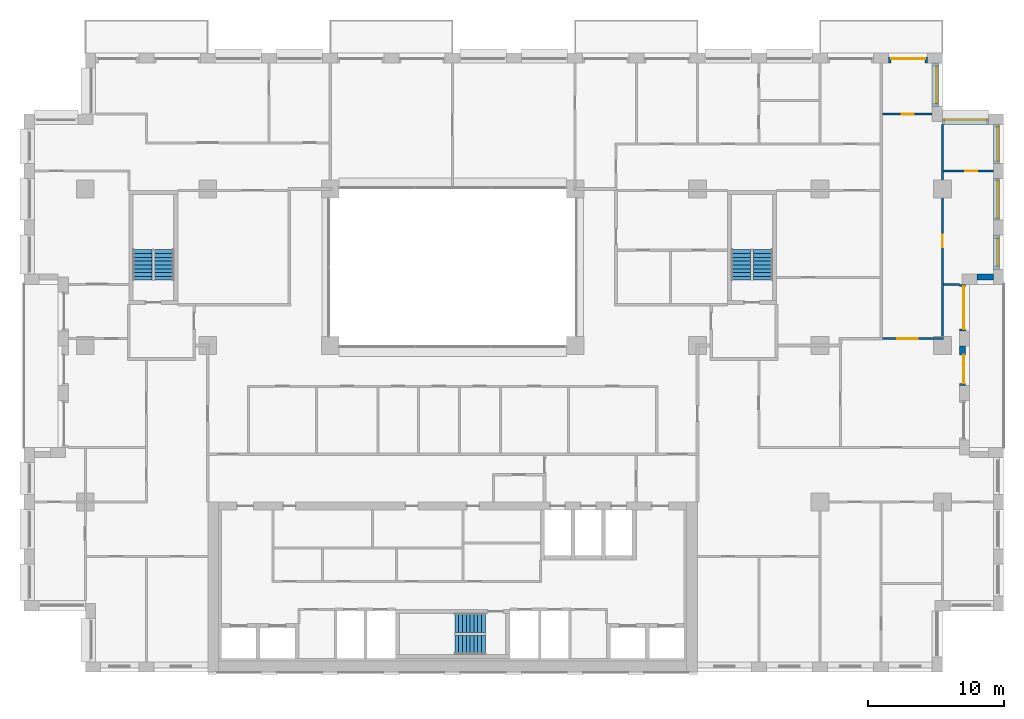
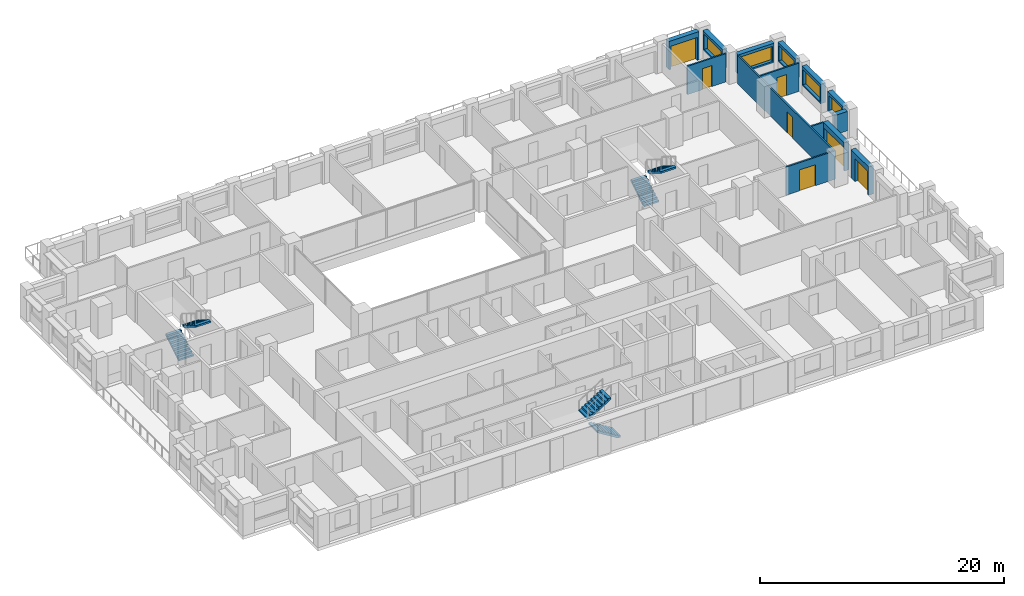
# One storey, part 15 of 16: 14 walls, 7 doors, 6 stair flights, 5 windows, 12 openings, 3 elements without a shape of their own.
"""IFC4 building model written with IfcOpenShell, lengths in metres."""

from ifc_helpers import new_model, si_unit, direction, frame, frame_2d, origin, place, context, subcontext, project, spatial, polyline, rectangle, outline, extrude, material, layer, layer_set, type_object, element, fill, aggregate, save


model = new_model("IFC4")

# Units and contexts
model_context = context("Model", 3, precision=1e-05, world=origin(), true_north=direction((0.0, 1.0)))
body_context = subcontext(model_context, "Body", "Model", "MODEL_VIEW")
ifc_project = project(units=[si_unit("LENGTHUNIT", "METRE"), si_unit("AREAUNIT", "SQUARE_METRE"), si_unit("VOLUMEUNIT", "CUBIC_METRE"), si_unit("PLANEANGLEUNIT", "RADIAN"), si_unit("MASSUNIT", "GRAM", prefix="KILO")], contexts=[model_context])

# Site, building, storey
site_placement = place(None, origin())
site = spatial("IfcSite", under=ifc_project, at=site_placement, CompositionType="ELEMENT")
building_placement = place(site_placement, origin())
building = spatial("IfcBuilding", under=site, at=building_placement, Name="Brigalow Station Residences", CompositionType="ELEMENT")
storey_placement = place(building_placement, frame((0.0, 0.0, 105.60009765625)))
storey = spatial("IfcBuildingStorey", under=building, at=storey_placement, Name="L30", CompositionType="ELEMENT", Elevation=105.60009765625)

# Wall, opening, door
ifc_material_1 = material(Name="Clay brick masonry", Category="masonry")
ifc_layer_1 = layer(ifc_material_1, 0.449951171875)
ifc_layer_set_1 = layer_set([ifc_layer_1], Name="BRICK INFILL WALL 450")
wall_type_1 = type_object("IfcWallType", Name="BRICK INFILL WALL 450", PredefinedType="SOLIDWALL", material=ifc_layer_set_1)
wall_1_placement = place(storey_placement, frame((73.47509765625, 21.050048828125, 0.0), z_axis=(0.0, 0.0, 1.0), x_axis=(0.0, 1.0, 0.0)))
wall_1 = element("IfcWall", 1, at=wall_1_placement, inside=storey, type_object=wall_type_1, Name="L30/ewall/W-L30-15", PredefinedType="SOLIDWALL", context=body_context, shape_type="SweptSolid", body=[
    extrude(rectangle(XDim=2.89990234375, YDim=0.449951171875, at=frame_2d((1.449951171875, 0.0))), origin(), (0.0, 0.0, 1.0), 2.829833984375),
])
opening_1_placement = place(wall_1_placement, frame((0.1650390625, 0.0, 0.0)))
opening_1 = element("IfcOpeningElement", 2, at=opening_1_placement, cuts=wall_1, Name="Opening D-B2100", PredefinedType="OPENING", context=body_context, shape_type="SweptSolid", body=[
    extrude(rectangle(XDim=2.10009765625, YDim=2.300048828125, at=frame_2d((1.050048828125, 1.14990234375))), frame((0.0, 0.23486328125, 0.0), z_axis=(0.0, -1.0, 0.0), x_axis=(1.0, 0.0, 0.0)), (0.0, 0.0, 1.0), 0.469970703125),
])
ifc_material_2 = material(Name="Anodised aluminium frame with double glazing", Category="aluminium")
door_type_1 = type_object("IfcDoorType", Name="BALCONY SLIDING DOOR 2100x2300", OperationType="SLIDING_TO_LEFT", PredefinedType="DOOR", material=ifc_material_2)
door_1_placement = place(opening_1_placement, origin())
door_1 = element("IfcDoor", 3, at=door_1_placement, inside=storey, type_object=door_type_1, Name="L30/balcony-door/W-L30-15", OperationType="SLIDING_TO_LEFT", OverallHeight=2.300048828125, OverallWidth=2.10009765625, PredefinedType="DOOR", context=body_context, shape_type="SweptSolid", body=[
    extrude(rectangle(XDim=2.10009765625, YDim=2.300048828125, at=frame_2d((1.050048828125, 1.14990234375))), frame((0.0, -0.06982421875, 0.0), z_axis=(0.0, -1.0, 0.0), x_axis=(1.0, 0.0, 0.0)), (0.0, 0.0, 1.0), 0.050048828125),
])
fill(opening_1, door_1)

wall_2_placement = place(storey_placement, frame((73.47509765625, 25.050048828125, 0.0), z_axis=(0.0, 0.0, 1.0), x_axis=(0.0, 1.0, 0.0)))
wall_2 = element("IfcWall", 4, at=wall_2_placement, inside=storey, type_object=wall_type_1, Name="L30/ewall/W-L30-16", PredefinedType="SOLIDWALL", context=body_context, shape_type="SweptSolid", body=[
    extrude(rectangle(XDim=3.449951171875, YDim=0.449951171875, at=frame_2d((1.72509765625, 0.0))), origin(), (0.0, 0.0, 1.0), 2.829833984375),
])
opening_2_placement = place(wall_2_placement, frame((0.14990234375, 0.0, 0.0)))
opening_2 = element("IfcOpeningElement", 5, at=opening_2_placement, cuts=wall_2, Name="Opening D-B3150", PredefinedType="OPENING", context=body_context, shape_type="SweptSolid", body=[
    extrude(rectangle(XDim=3.14990234375, YDim=2.300048828125, at=frame_2d((1.574951171875, 1.14990234375))), frame((0.0, 0.23486328125, 0.0), z_axis=(0.0, -1.0, 0.0), x_axis=(1.0, 0.0, 0.0)), (0.0, 0.0, 1.0), 0.469970703125),
])
ifc_material_3 = material(Name="Anodised aluminium frame with double glazing", Category="aluminium")
door_type_2 = type_object("IfcDoorType", Name="BALCONY SLIDING DOOR 3150x2300", OperationType="SLIDING_TO_LEFT", PredefinedType="DOOR", material=ifc_material_3)
door_2_placement = place(opening_2_placement, origin())
door_2 = element("IfcDoor", 6, at=door_2_placement, inside=storey, type_object=door_type_2, Name="L30/balcony-door/W-L30-16", OperationType="SLIDING_TO_LEFT", OverallHeight=2.300048828125, OverallWidth=3.14990234375, PredefinedType="DOOR", context=body_context, shape_type="SweptSolid", body=[
    extrude(rectangle(XDim=3.14990234375, YDim=2.300048828125, at=frame_2d((1.574951171875, 1.14990234375))), frame((0.0, -0.06982421875, 0.0), z_axis=(0.0, -1.0, 0.0), x_axis=(1.0, 0.0, 0.0)), (0.0, 0.0, 1.0), 0.050048828125),
])
fill(opening_2, door_2)

# Wall
wall_3_placement = place(storey_placement, frame((74.550048828125, 29.02490234375, 0.89990234375), z_axis=(0.0, 0.0, 1.0), x_axis=(1.0, 0.0, 0.0)))
element("IfcWall", 7, at=wall_3_placement, inside=storey, type_object=wall_type_1, Name="L30/ewall/W-L30-17", PredefinedType="SOLIDWALL", context=body_context, shape_type="SweptSolid", body=[
    extrude(rectangle(XDim=1.199951171875, YDim=0.449951171875, at=frame_2d((0.60009765625, 0.0))), origin(), (0.0, 0.0, 1.0), 1.929931640625),
])

# Wall, opening, window
wall_4_placement = place(storey_placement, frame((75.97509765625, 29.60009765625, 0.89990234375), z_axis=(0.0, 0.0, 1.0), x_axis=(0.0, 1.0, 0.0)))
wall_4 = element("IfcWall", 8, at=wall_4_placement, inside=storey, type_object=wall_type_1, Name="L30/ewall/W-L30-18", PredefinedType="SOLIDWALL", context=body_context, shape_type="SweptSolid", body=[
    extrude(rectangle(XDim=2.516845703125, YDim=0.449951171875, at=frame_2d((1.25830078125, 0.0))), origin(), (0.0, 0.0, 1.0), 1.929931640625),
])
opening_3_placement = place(wall_4_placement, frame((0.258544921875, 0.0, 0.14990234375)))
opening_3 = element("IfcOpeningElement", 9, at=opening_3_placement, cuts=wall_4, Name="Opening WT-7", PredefinedType="OPENING", context=body_context, shape_type="SweptSolid", body=[
    extrude(rectangle(XDim=2.0, YDim=1.5, at=frame_2d((1.0, 0.75))), frame((0.0, 0.23486328125, 0.0), z_axis=(0.0, -1.0, 0.0), x_axis=(1.0, 0.0, 0.0)), (0.0, 0.0, 1.0), 0.469970703125),
])
ifc_material_4 = material(Name="Anodised aluminium frame with double glazing", Category="aluminium")
window_type_1 = type_object("IfcWindowType", Name="WINDOW 2000x1500", PartitioningType="SINGLE_PANEL", PredefinedType="WINDOW", material=ifc_material_4)
window_1_placement = place(opening_3_placement, origin())
window_1 = element("IfcWindow", 10, at=window_1_placement, inside=storey, type_object=window_type_1, Name="L30/window/W-L30-18", OverallHeight=1.5, OverallWidth=2.0, PartitioningType="SINGLE_PANEL", PredefinedType="WINDOW", context=body_context, shape_type="SweptSolid", body=[
    extrude(rectangle(XDim=2.0, YDim=1.5, at=frame_2d((1.0, 0.75))), frame((0.0, -0.06494140625, 0.0), z_axis=(0.0, -1.0, 0.0), x_axis=(1.0, 0.0, 0.0)), (0.0, 0.0, 1.0), 0.06005859375),
])
fill(opening_3, window_1)

wall_5_placement = place(storey_placement, frame((75.97509765625, 33.217041015625, 0.89990234375), z_axis=(0.0, 0.0, 1.0), x_axis=(0.0, 1.0, 0.0)))
wall_5 = element("IfcWall", 11, at=wall_5_placement, inside=storey, type_object=wall_type_1, Name="L30/ewall/W-L30-19", PredefinedType="SOLIDWALL", context=body_context, shape_type="SweptSolid", body=[
    extrude(rectangle(XDim=3.06591796875, YDim=0.449951171875, at=frame_2d((1.532958984375, 0.0))), origin(), (0.0, 0.0, 1.0), 1.929931640625),
])
opening_4_placement = place(wall_5_placement, frame((0.157958984375, 0.0, 0.14990234375)))
opening_4 = element("IfcOpeningElement", 12, at=opening_4_placement, cuts=wall_5, Name="Opening WT-3", PredefinedType="OPENING", context=body_context, shape_type="SweptSolid", body=[
    extrude(rectangle(XDim=2.75, YDim=1.5, at=frame_2d((1.375, 0.75))), frame((0.0, 0.23486328125, 0.0), z_axis=(0.0, -1.0, 0.0), x_axis=(1.0, 0.0, 0.0)), (0.0, 0.0, 1.0), 0.469970703125),
])
ifc_material_5 = material(Name="Anodised aluminium frame with double glazing", Category="aluminium")
window_type_2 = type_object("IfcWindowType", Name="WINDOW 2750x1500", PartitioningType="SINGLE_PANEL", PredefinedType="WINDOW", material=ifc_material_5)
window_2_placement = place(opening_4_placement, origin())
window_2 = element("IfcWindow", 13, at=window_2_placement, inside=storey, type_object=window_type_2, Name="L30/window/W-L30-19", OverallHeight=1.5, OverallWidth=2.75, PartitioningType="SINGLE_PANEL", PredefinedType="WINDOW", context=body_context, shape_type="SweptSolid", body=[
    extrude(rectangle(XDim=2.75, YDim=1.5, at=frame_2d((1.375, 0.75))), frame((0.0, -0.06494140625, 0.0), z_axis=(0.0, -1.0, 0.0), x_axis=(1.0, 0.0, 0.0)), (0.0, 0.0, 1.0), 0.06005859375),
])
fill(opening_4, window_2)

wall_6_placement = place(storey_placement, frame((75.97509765625, 37.383056640625, 0.89990234375), z_axis=(0.0, 0.0, 1.0), x_axis=(0.0, 1.0, 0.0)))
wall_6 = element("IfcWall", 14, at=wall_6_placement, inside=storey, type_object=wall_type_1, Name="L30/ewall/W-L30-20", PredefinedType="SOLIDWALL", context=body_context, shape_type="SweptSolid", body=[
    extrude(rectangle(XDim=2.866943359375, YDim=0.449951171875, at=frame_2d((1.43359375, 0.0))), origin(), (0.0, 0.0, 1.0), 1.929931640625),
])
opening_5_placement = place(wall_6_placement, frame((0.18359375, 0.0, 0.14990234375)))
opening_5 = element("IfcOpeningElement", 15, at=opening_5_placement, cuts=wall_6, Name="Opening WT-5", PredefinedType="OPENING", context=body_context, shape_type="SweptSolid", body=[
    extrude(rectangle(XDim=2.5, YDim=1.5, at=frame_2d((1.25, 0.75))), frame((0.0, 0.23486328125, 0.0), z_axis=(0.0, -1.0, 0.0), x_axis=(1.0, 0.0, 0.0)), (0.0, 0.0, 1.0), 0.469970703125),
])
ifc_material_6 = material(Name="Anodised aluminium frame with double glazing", Category="aluminium")
window_type_3 = type_object("IfcWindowType", Name="WINDOW 2500x1500", PartitioningType="SINGLE_PANEL", PredefinedType="WINDOW", material=ifc_material_6)
window_3_placement = place(opening_5_placement, origin())
window_3 = element("IfcWindow", 16, at=window_3_placement, inside=storey, type_object=window_type_3, Name="L30/window/W-L30-20", OverallHeight=1.5, OverallWidth=2.5, PartitioningType="SINGLE_PANEL", PredefinedType="WINDOW", context=body_context, shape_type="SweptSolid", body=[
    extrude(rectangle(XDim=2.5, YDim=1.5, at=frame_2d((1.25, 0.75))), frame((0.0, -0.06494140625, 0.0), z_axis=(0.0, -1.0, 0.0), x_axis=(1.0, 0.0, 0.0)), (0.0, 0.0, 1.0), 0.06005859375),
])
fill(opening_5, window_3)

wall_7_placement = place(storey_placement, frame((75.39990234375, 40.47509765625, 0.89990234375), z_axis=(0.0, 0.0, 1.0), x_axis=(-1.0, 0.0, 0.0)))
wall_7 = element("IfcWall", 17, at=wall_7_placement, inside=storey, type_object=wall_type_1, Name="L30/ewall/W-L30-21", PredefinedType="SOLIDWALL", context=body_context, shape_type="SweptSolid", body=[
    extrude(rectangle(XDim=3.39990234375, YDim=0.449951171875, at=frame_2d((1.699951171875, 0.0))), origin(), (0.0, 0.0, 1.0), 1.929931640625),
])
opening_6_placement = place(wall_7_placement, frame((0.14990234375, 0.0, 0.14990234375)))
opening_6 = element("IfcOpeningElement", 18, at=opening_6_placement, cuts=wall_7, Name="Opening WT-8", PredefinedType="OPENING", context=body_context, shape_type="SweptSolid", body=[
    extrude(rectangle(XDim=3.10009765625, YDim=1.5, at=frame_2d((1.550048828125, 0.75))), frame((0.0, 0.23486328125, 0.0), z_axis=(0.0, -1.0, 0.0), x_axis=(1.0, 0.0, 0.0)), (0.0, 0.0, 1.0), 0.469970703125),
])
ifc_material_7 = material(Name="Anodised aluminium frame with double glazing", Category="aluminium")
window_type_4 = type_object("IfcWindowType", Name="WINDOW 3100x1500", PartitioningType="SINGLE_PANEL", PredefinedType="WINDOW", material=ifc_material_7)
window_4_placement = place(opening_6_placement, origin())
window_4 = element("IfcWindow", 19, at=window_4_placement, inside=storey, type_object=window_type_4, Name="L30/window/W-L30-21", OverallHeight=1.5, OverallWidth=3.10009765625, PartitioningType="SINGLE_PANEL", PredefinedType="WINDOW", context=body_context, shape_type="SweptSolid", body=[
    extrude(rectangle(XDim=3.10009765625, YDim=1.5, at=frame_2d((1.550048828125, 0.75))), frame((0.0, -0.06494140625, 0.0), z_axis=(0.0, -1.0, 0.0), x_axis=(1.0, 0.0, 0.0)), (0.0, 0.0, 1.0), 0.06005859375),
])
fill(opening_6, window_4)

wall_8_placement = place(storey_placement, frame((71.47509765625, 41.550048828125, 0.89990234375), z_axis=(0.0, 0.0, 1.0), x_axis=(0.0, 1.0, 0.0)))
wall_8 = element("IfcWall", 20, at=wall_8_placement, inside=storey, type_object=wall_type_1, Name="L30/ewall/W-L30-22", PredefinedType="SOLIDWALL", context=body_context, shape_type="SweptSolid", body=[
    extrude(rectangle(XDim=3.199951171875, YDim=0.449951171875, at=frame_2d((1.60009765625, 0.0))), origin(), (0.0, 0.0, 1.0), 1.929931640625),
])
opening_7_placement = place(wall_8_placement, frame((0.22509765625, 0.0, 0.14990234375)))
opening_7 = element("IfcOpeningElement", 21, at=opening_7_placement, cuts=wall_8, Name="Opening WT-3", PredefinedType="OPENING", context=body_context, shape_type="SweptSolid", body=[
    extrude(rectangle(XDim=2.75, YDim=1.5, at=frame_2d((1.375, 0.75))), frame((0.0, 0.23486328125, 0.0), z_axis=(0.0, -1.0, 0.0), x_axis=(1.0, 0.0, 0.0)), (0.0, 0.0, 1.0), 0.469970703125),
])
window_5_placement = place(opening_7_placement, origin())
window_5 = element("IfcWindow", 22, at=window_5_placement, inside=storey, type_object=window_type_2, Name="L30/window/W-L30-22", OverallHeight=1.5, OverallWidth=2.75, PartitioningType="SINGLE_PANEL", PredefinedType="WINDOW", context=body_context, shape_type="SweptSolid", body=[
    extrude(rectangle(XDim=2.75, YDim=1.5, at=frame_2d((1.375, 0.75))), frame((0.0, -0.06494140625, 0.0), z_axis=(0.0, -1.0, 0.0), x_axis=(1.0, 0.0, 0.0)), (0.0, 0.0, 1.0), 0.06005859375),
])
fill(opening_7, window_5)

# Wall, opening, door
wall_9_placement = place(storey_placement, frame((70.89990234375, 44.97509765625, 0.0), z_axis=(0.0, 0.0, 1.0), x_axis=(-1.0, 0.0, 0.0)))
wall_9 = element("IfcWall", 23, at=wall_9_placement, inside=storey, type_object=wall_type_1, Name="L30/ewall/W-L30-23", PredefinedType="SOLIDWALL", context=body_context, shape_type="SweptSolid", body=[
    extrude(rectangle(XDim=2.849853515625, YDim=0.449951171875, at=frame_2d((1.4248046875, 0.0))), origin(), (0.0, 0.0, 1.0), 2.829833984375),
])
opening_8_placement = place(wall_9_placement, frame((0.175048828125, 0.0, 0.0)))
opening_8 = element("IfcOpeningElement", 24, at=opening_8_placement, cuts=wall_9, Name="Opening D-B2500", PredefinedType="OPENING", context=body_context, shape_type="SweptSolid", body=[
    extrude(rectangle(XDim=2.5, YDim=2.300048828125, at=frame_2d((1.25, 1.14990234375))), frame((0.0, 0.23486328125, 0.0), z_axis=(0.0, -1.0, 0.0), x_axis=(1.0, 0.0, 0.0)), (0.0, 0.0, 1.0), 0.469970703125),
])
ifc_material_8 = material(Name="Anodised aluminium frame with double glazing", Category="aluminium")
door_type_3 = type_object("IfcDoorType", Name="BALCONY SLIDING DOOR 2500x2300", OperationType="SLIDING_TO_LEFT", PredefinedType="DOOR", material=ifc_material_8)
door_3_placement = place(opening_8_placement, origin())
door_3 = element("IfcDoor", 25, at=door_3_placement, inside=storey, type_object=door_type_3, Name="L30/balcony-door/W-L30-23", OperationType="SLIDING_TO_LEFT", OverallHeight=2.300048828125, OverallWidth=2.5, PredefinedType="DOOR", context=body_context, shape_type="SweptSolid", body=[
    extrude(rectangle(XDim=2.5, YDim=2.300048828125, at=frame_2d((1.25, 1.14990234375))), frame((0.0, -0.06982421875, 0.0), z_axis=(0.0, -1.0, 0.0), x_axis=(1.0, 0.0, 0.0)), (0.0, 0.0, 1.0), 0.050048828125),
])
fill(opening_8, door_3)

ifc_material_9 = material(Name="Plasterboard on steel stud partition", Category="steel")
ifc_layer_2 = layer(ifc_material_9, 0.14990234375)
ifc_layer_set_2 = layer_set([ifc_layer_2], Name="FLAT PARTITION 150")
wall_type_2 = type_object("IfcWallType", Name="FLAT PARTITION 150", PredefinedType="PARTITIONING", material=ifc_layer_set_2)
wall_10_placement = place(storey_placement, frame((67.39990234375, 24.5, 0.0), z_axis=(0.0, 0.0, 1.0), x_axis=(1.0, 0.0, 0.0)))
wall_10 = element("IfcWall", 26, at=wall_10_placement, inside=storey, type_object=wall_type_2, Name="PW-2C18", PredefinedType="PARTITIONING", context=body_context, shape_type="SweptSolid", body=[
    extrude(rectangle(XDim=4.675048828125, YDim=0.14990234375, at=frame_2d((2.33740234375, 0.0))), origin(), (0.0, 0.0, 1.0), 2.829833984375),
])
opening_9_placement = place(wall_10_placement, frame((1.27490234375, 0.0, 0.0)))
opening_9 = element("IfcOpeningElement", 27, at=opening_9_placement, cuts=wall_10, Name="Opening D-2C41", PredefinedType="OPENING", context=body_context, shape_type="SweptSolid", body=[
    extrude(rectangle(XDim=1.5, YDim=2.10009765625, at=frame_2d((0.75, 1.050048828125))), frame((0.0, 0.0849609375, 0.0), z_axis=(0.0, -1.0, 0.0), x_axis=(1.0, 0.0, 0.0)), (0.0, 0.0, 1.0), 0.169921875),
])
ifc_material_10 = material(Name="Solid-core timber door leaf", Category="wood")
door_type_4 = type_object("IfcDoorType", Name="INTERNAL DOUBLE DOOR 1500 x 2100", OperationType="DOUBLE_DOOR_SINGLE_SWING", PredefinedType="DOOR", material=ifc_material_10)
door_4_placement = place(opening_9_placement, origin())
door_4 = element("IfcDoor", 28, at=door_4_placement, inside=storey, type_object=door_type_4, Name="D-2C41", OperationType="DOUBLE_DOOR_SINGLE_SWING", OverallHeight=2.10009765625, OverallWidth=1.5, PredefinedType="DOOR", context=body_context, shape_type="SweptSolid", body=[
    extrude(rectangle(XDim=1.5, YDim=2.10009765625, at=frame_2d((0.75, 1.050048828125))), frame((0.0, 0.02490234375, 0.0), z_axis=(0.0, -1.0, 0.0), x_axis=(1.0, 0.0, 0.0)), (0.0, 0.0, 1.0), 0.050048828125),
])
fill(opening_9, door_4)

# Wall
wall_11_placement = place(storey_placement, frame((72.074951171875, 28.5, 0.0), z_axis=(0.0, 0.0, 1.0), x_axis=(1.0, 0.0, 0.0)))
element("IfcWall", 29, at=wall_11_placement, inside=storey, type_object=wall_type_2, Name="PW-2C21", PredefinedType="PARTITIONING", context=body_context, shape_type="SweptSolid", body=[
    extrude(rectangle(XDim=1.175048828125, YDim=0.14990234375, at=frame_2d((0.58740234375, 0.0))), origin(), (0.0, 0.0, 1.0), 2.829833984375),
])

# Wall, opening, door
wall_12_placement = place(storey_placement, frame((72.074951171875, 36.8330078125, 0.0), z_axis=(0.0, 0.0, 1.0), x_axis=(1.0, 0.0, 0.0)))
wall_12 = element("IfcWall", 30, at=wall_12_placement, inside=storey, type_object=wall_type_2, Name="PW-2C23", PredefinedType="PARTITIONING", context=body_context, shape_type="SweptSolid", body=[
    extrude(rectangle(XDim=3.675048828125, YDim=0.14990234375, at=frame_2d((1.83740234375, 0.0))), origin(), (0.0, 0.0, 1.0), 2.829833984375),
])
opening_10_placement = place(wall_12_placement, frame((1.60009765625, 0.0, 0.0)))
opening_10 = element("IfcOpeningElement", 31, at=opening_10_placement, cuts=wall_12, Name="Opening D-2C43", PredefinedType="OPENING", context=body_context, shape_type="SweptSolid", body=[
    extrude(rectangle(XDim=0.89990234375, YDim=2.10009765625, at=frame_2d((0.449951171875, 1.050048828125))), frame((0.0, 0.0849609375, 0.0), z_axis=(0.0, -1.0, 0.0), x_axis=(1.0, 0.0, 0.0)), (0.0, 0.0, 1.0), 0.169921875),
])
ifc_material_11 = material(Name="Solid-core timber door leaf", Category="wood")
door_type_5 = type_object("IfcDoorType", Name="INTERNAL DOOR 900 x 2100", OperationType="SINGLE_SWING_LEFT", PredefinedType="DOOR", material=ifc_material_11)
door_5_placement = place(opening_10_placement, origin())
door_5 = element("IfcDoor", 32, at=door_5_placement, inside=storey, type_object=door_type_5, Name="D-2C43", OperationType="SINGLE_SWING_RIGHT", OverallHeight=2.10009765625, OverallWidth=0.89990234375, PredefinedType="DOOR", context=body_context, shape_type="SweptSolid", body=[
    extrude(rectangle(XDim=0.89990234375, YDim=2.10009765625, at=frame_2d((0.449951171875, 1.050048828125))), frame((0.0, 0.02490234375, 0.0), z_axis=(0.0, -1.0, 0.0), x_axis=(1.0, 0.0, 0.0)), (0.0, 0.0, 1.0), 0.050048828125),
])
fill(opening_10, door_5)

wall_13_placement = place(storey_placement, frame((67.60009765625, 41.0, 0.0), z_axis=(0.0, 0.0, 1.0), x_axis=(1.0, 0.0, 0.0)))
wall_13 = element("IfcWall", 33, at=wall_13_placement, inside=storey, type_object=wall_type_2, Name="PW-2C29", PredefinedType="PARTITIONING", context=body_context, shape_type="SweptSolid", body=[
    extrude(rectangle(XDim=3.64990234375, YDim=0.14990234375, at=frame_2d((1.824951171875, 0.0))), origin(), (0.0, 0.0, 1.0), 2.829833984375),
])
opening_11_placement = place(wall_13_placement, frame((1.39990234375, 0.0, 0.0)))
opening_11 = element("IfcOpeningElement", 34, at=opening_11_placement, cuts=wall_13, Name="Opening D-2C44", PredefinedType="OPENING", context=body_context, shape_type="SweptSolid", body=[
    extrude(rectangle(XDim=0.89990234375, YDim=2.10009765625, at=frame_2d((0.449951171875, 1.050048828125))), frame((0.0, 0.0849609375, 0.0), z_axis=(0.0, -1.0, 0.0), x_axis=(1.0, 0.0, 0.0)), (0.0, 0.0, 1.0), 0.169921875),
])
door_6_placement = place(opening_11_placement, origin())
door_6 = element("IfcDoor", 35, at=door_6_placement, inside=storey, type_object=door_type_5, Name="D-2C44", OperationType="SINGLE_SWING_RIGHT", OverallHeight=2.10009765625, OverallWidth=0.89990234375, PredefinedType="DOOR", context=body_context, shape_type="SweptSolid", body=[
    extrude(rectangle(XDim=0.89990234375, YDim=2.10009765625, at=frame_2d((0.449951171875, 1.050048828125))), frame((0.0, 0.02490234375, 0.0), z_axis=(0.0, -1.0, 0.0), x_axis=(1.0, 0.0, 0.0)), (0.0, 0.0, 1.0), 0.050048828125),
])
fill(opening_11, door_6)

wall_14_placement = place(storey_placement, frame((72.0, 24.574951171875, 0.0), z_axis=(0.0, 0.0, 1.0), x_axis=(0.0, 1.0, 0.0)))
wall_14 = element("IfcWall", 36, at=wall_14_placement, inside=storey, type_object=wall_type_2, Name="PW-2C66", PredefinedType="PARTITIONING", context=body_context, shape_type="SweptSolid", body=[
    extrude(rectangle(XDim=15.675048828125, YDim=0.14990234375, at=frame_2d((7.83740234375, 0.0))), origin(), (0.0, 0.0, 1.0), 2.829833984375),
])
opening_12_placement = place(wall_14_placement, frame((6.64990234375, 0.0, 0.0)))
opening_12 = element("IfcOpeningElement", 37, at=opening_12_placement, cuts=wall_14, Name="Opening D-2C42", PredefinedType="OPENING", context=body_context, shape_type="SweptSolid", body=[
    extrude(rectangle(XDim=0.89990234375, YDim=2.10009765625, at=frame_2d((0.449951171875, 1.050048828125))), frame((0.0, 0.0849609375, 0.0), z_axis=(0.0, -1.0, 0.0), x_axis=(1.0, 0.0, 0.0)), (0.0, 0.0, 1.0), 0.169921875),
])
door_7_placement = place(opening_12_placement, frame((0.89990234375, 0.0, 0.0), z_axis=(0.0, 0.0, 1.0), x_axis=(-1.0, 0.0, 0.0)))
door_7 = element("IfcDoor", 38, at=door_7_placement, inside=storey, type_object=door_type_5, Name="D-2C42", OperationType="SINGLE_SWING_RIGHT", OverallHeight=2.10009765625, OverallWidth=0.89990234375, PredefinedType="DOOR", context=body_context, shape_type="SweptSolid", body=[
    extrude(rectangle(XDim=0.89990234375, YDim=2.10009765625, at=frame_2d((0.449951171875, 1.050048828125))), frame((0.0, 0.02490234375, 0.0), z_axis=(0.0, -1.0, 0.0), x_axis=(1.0, 0.0, 0.0)), (0.0, 0.0, 1.0), 0.050048828125),
])
fill(opening_12, door_7)

# Stair, stair flights
ifc_material_12 = material(Name="Concrete C50", Category="concrete")
stair_type = type_object("IfcStairType", Name="EXIT STAIR 1400 2 FLIGHT", PredefinedType="HALF_TURN_STAIR", material=ifc_material_12)
stair_1_placement = place(storey_placement, origin())
stair_1 = element("IfcStair", 39, at=stair_1_placement, inside=storey, type_object=stair_type, Name="EXIT STAIR S2 L30", PredefinedType="HALF_TURN_STAIR")
ifc_material_13 = material(Name="Concrete C50", Category="concrete")
stair_flight_type = type_object("IfcStairFlightType", Name="STAIR FLIGHT 1400", PredefinedType="STRAIGHT", material=ifc_material_13)
stair_flight_1_placement = place(storey_placement, frame((38.39990234375, 2.0, 0.0), z_axis=(0.0, 0.0, 1.0), x_axis=(-1.0, 0.0, 0.0)))
stair_flight_1 = element("IfcStairFlight", 40, at=stair_flight_1_placement, type_object=stair_flight_type, Name="ST-2 flight 1", NumberOfRisers=9, NumberOfTreads=8, PredefinedType="STRAIGHT", RiserHeight=0.175, TreadLength=0.28, context=body_context, shape_type="SweptSolid", body=[
    extrude(outline(polyline([(0.0, 0.0), (0.0, 0.175048828125), (0.280029296875, 0.175048828125), (0.280029296875, 0.35009765625), (0.56005859375, 0.35009765625), (0.56005859375, 0.52490234375), (0.840087890625, 0.52490234375), (0.840087890625, 0.699951171875), (1.1201171875, 0.699951171875), (1.1201171875, 0.875), (1.39990234375, 0.875), (1.39990234375, 1.050048828125), (1.679931640625, 1.050048828125), (1.679931640625, 1.22509765625), (1.9599609375, 1.22509765625), (1.9599609375, 1.39990234375), (2.239990234375, 1.39990234375), (2.239990234375, 1.574951171875), (2.239990234375, 1.22314453125), (0.28271484375, 0.0), (0.0, 0.0)])), frame((0.0, 0.699951171875, 0.0), z_axis=(0.0, -1.0, 0.0), x_axis=(1.0, 0.0, 0.0)), (0.0, 0.0, 1.0), 1.39990234375),
])
stair_flight_2_placement = place(storey_placement, frame((36.159912109375, 3.60009765625, 1.574951171875), z_axis=(0.0, 0.0, 1.0), x_axis=(1.0, 0.0, 0.0)))
stair_flight_2 = element("IfcStairFlight", 41, at=stair_flight_2_placement, type_object=stair_flight_type, Name="ST-2 flight 2", NumberOfRisers=9, NumberOfTreads=8, PredefinedType="STRAIGHT", RiserHeight=0.175, TreadLength=0.28, context=body_context, shape_type="SweptSolid", body=[
    extrude(outline(polyline([(0.0, 0.0), (0.0, 0.175048828125), (0.280029296875, 0.175048828125), (0.280029296875, 0.35009765625), (0.56005859375, 0.35009765625), (0.56005859375, 0.52490234375), (0.840087890625, 0.52490234375), (0.840087890625, 0.699951171875), (1.1201171875, 0.699951171875), (1.1201171875, 0.875), (1.39990234375, 0.875), (1.39990234375, 1.050048828125), (1.679931640625, 1.050048828125), (1.679931640625, 1.22509765625), (1.9599609375, 1.22509765625), (1.9599609375, 1.39990234375), (2.239990234375, 1.39990234375), (2.239990234375, 1.574951171875), (2.239990234375, 1.22314453125), (0.28271484375, 0.0), (0.0, 0.0)])), frame((0.0, 0.699951171875, 0.0), z_axis=(0.0, -1.0, 0.0), x_axis=(1.0, 0.0, 0.0)), (0.0, 0.0, 1.0), 1.39990234375),
])
aggregate(stair_1, [stair_flight_1, stair_flight_2])

stair_2_placement = place(storey_placement, origin())
stair_2 = element("IfcStair", 42, at=stair_2_placement, inside=storey, type_object=stair_type, Name="EXIT STAIR S1 L30", PredefinedType="HALF_TURN_STAIR")
stair_flight_3_placement = place(storey_placement, frame((13.199951171875, 28.800048828125, 0.0), z_axis=(0.0, 0.0, 1.0), x_axis=(0.0, 1.0, 0.0)))
stair_flight_3 = element("IfcStairFlight", 43, at=stair_flight_3_placement, type_object=stair_flight_type, Name="ST-1 flight 1", NumberOfRisers=9, NumberOfTreads=8, PredefinedType="STRAIGHT", RiserHeight=0.175, TreadLength=0.28, context=body_context, shape_type="SweptSolid", body=[
    extrude(outline(polyline([(0.0, 0.0), (0.0, 0.175048828125), (0.280029296875, 0.175048828125), (0.280029296875, 0.35009765625), (0.56005859375, 0.35009765625), (0.56005859375, 0.52490234375), (0.840087890625, 0.52490234375), (0.840087890625, 0.699951171875), (1.1201171875, 0.699951171875), (1.1201171875, 0.875), (1.39990234375, 0.875), (1.39990234375, 1.050048828125), (1.679931640625, 1.050048828125), (1.679931640625, 1.22509765625), (1.9599609375, 1.22509765625), (1.9599609375, 1.39990234375), (2.239990234375, 1.39990234375), (2.239990234375, 1.574951171875), (2.239990234375, 1.22314453125), (0.28271484375, 0.0), (0.0, 0.0)])), frame((0.0, 0.699951171875, 0.0), z_axis=(0.0, -1.0, 0.0), x_axis=(1.0, 0.0, 0.0)), (0.0, 0.0, 1.0), 1.39990234375),
])
stair_flight_4_placement = place(storey_placement, frame((14.800048828125, 31.0400390625, 1.574951171875), z_axis=(0.0, 0.0, 1.0), x_axis=(0.0, -1.0, 0.0)))
stair_flight_4 = element("IfcStairFlight", 44, at=stair_flight_4_placement, type_object=stair_flight_type, Name="ST-1 flight 2", NumberOfRisers=9, NumberOfTreads=8, PredefinedType="STRAIGHT", RiserHeight=0.175, TreadLength=0.28, context=body_context, shape_type="SweptSolid", body=[
    extrude(outline(polyline([(0.0, 0.0), (0.0, 0.175048828125), (0.280029296875, 0.175048828125), (0.280029296875, 0.35009765625), (0.56005859375, 0.35009765625), (0.56005859375, 0.52490234375), (0.840087890625, 0.52490234375), (0.840087890625, 0.699951171875), (1.1201171875, 0.699951171875), (1.1201171875, 0.875), (1.39990234375, 0.875), (1.39990234375, 1.050048828125), (1.679931640625, 1.050048828125), (1.679931640625, 1.22509765625), (1.9599609375, 1.22509765625), (1.9599609375, 1.39990234375), (2.239990234375, 1.39990234375), (2.239990234375, 1.574951171875), (2.239990234375, 1.22314453125), (0.28271484375, 0.0), (0.0, 0.0)])), frame((0.0, 0.699951171875, 0.0), z_axis=(0.0, -1.0, 0.0), x_axis=(1.0, 0.0, 0.0)), (0.0, 0.0, 1.0), 1.39990234375),
])
aggregate(stair_2, [stair_flight_3, stair_flight_4])

stair_3_placement = place(storey_placement, origin())
stair_3 = element("IfcStair", 45, at=stair_3_placement, inside=storey, type_object=stair_type, Name="EXIT STAIR S3 L30", PredefinedType="HALF_TURN_STAIR")
stair_flight_5_placement = place(storey_placement, frame((57.199951171875, 28.800048828125, 0.0), z_axis=(0.0, 0.0, 1.0), x_axis=(0.0, 1.0, 0.0)))
stair_flight_5 = element("IfcStairFlight", 46, at=stair_flight_5_placement, type_object=stair_flight_type, Name="ST-3 flight 1", NumberOfRisers=9, NumberOfTreads=8, PredefinedType="STRAIGHT", RiserHeight=0.175, TreadLength=0.28, context=body_context, shape_type="SweptSolid", body=[
    extrude(outline(polyline([(0.0, 0.0), (0.0, 0.175048828125), (0.280029296875, 0.175048828125), (0.280029296875, 0.35009765625), (0.56005859375, 0.35009765625), (0.56005859375, 0.52490234375), (0.840087890625, 0.52490234375), (0.840087890625, 0.699951171875), (1.1201171875, 0.699951171875), (1.1201171875, 0.875), (1.39990234375, 0.875), (1.39990234375, 1.050048828125), (1.679931640625, 1.050048828125), (1.679931640625, 1.22509765625), (1.9599609375, 1.22509765625), (1.9599609375, 1.39990234375), (2.239990234375, 1.39990234375), (2.239990234375, 1.574951171875), (2.239990234375, 1.22314453125), (0.28271484375, 0.0), (0.0, 0.0)])), frame((0.0, 0.699951171875, 0.0), z_axis=(0.0, -1.0, 0.0), x_axis=(1.0, 0.0, 0.0)), (0.0, 0.0, 1.0), 1.39990234375),
])
stair_flight_6_placement = place(storey_placement, frame((58.800048828125, 31.0400390625, 1.574951171875), z_axis=(0.0, 0.0, 1.0), x_axis=(0.0, -1.0, 0.0)))
stair_flight_6 = element("IfcStairFlight", 47, at=stair_flight_6_placement, type_object=stair_flight_type, Name="ST-3 flight 2", NumberOfRisers=9, NumberOfTreads=8, PredefinedType="STRAIGHT", RiserHeight=0.175, TreadLength=0.28, context=body_context, shape_type="SweptSolid", body=[
    extrude(outline(polyline([(0.0, 0.0), (0.0, 0.175048828125), (0.280029296875, 0.175048828125), (0.280029296875, 0.35009765625), (0.56005859375, 0.35009765625), (0.56005859375, 0.52490234375), (0.840087890625, 0.52490234375), (0.840087890625, 0.699951171875), (1.1201171875, 0.699951171875), (1.1201171875, 0.875), (1.39990234375, 0.875), (1.39990234375, 1.050048828125), (1.679931640625, 1.050048828125), (1.679931640625, 1.22509765625), (1.9599609375, 1.22509765625), (1.9599609375, 1.39990234375), (2.239990234375, 1.39990234375), (2.239990234375, 1.574951171875), (2.239990234375, 1.22314453125), (0.28271484375, 0.0), (0.0, 0.0)])), frame((0.0, 0.699951171875, 0.0), z_axis=(0.0, -1.0, 0.0), x_axis=(1.0, 0.0, 0.0)), (0.0, 0.0, 1.0), 1.39990234375),
])
aggregate(stair_3, [stair_flight_5, stair_flight_6])

save(model, "model.ifc")
